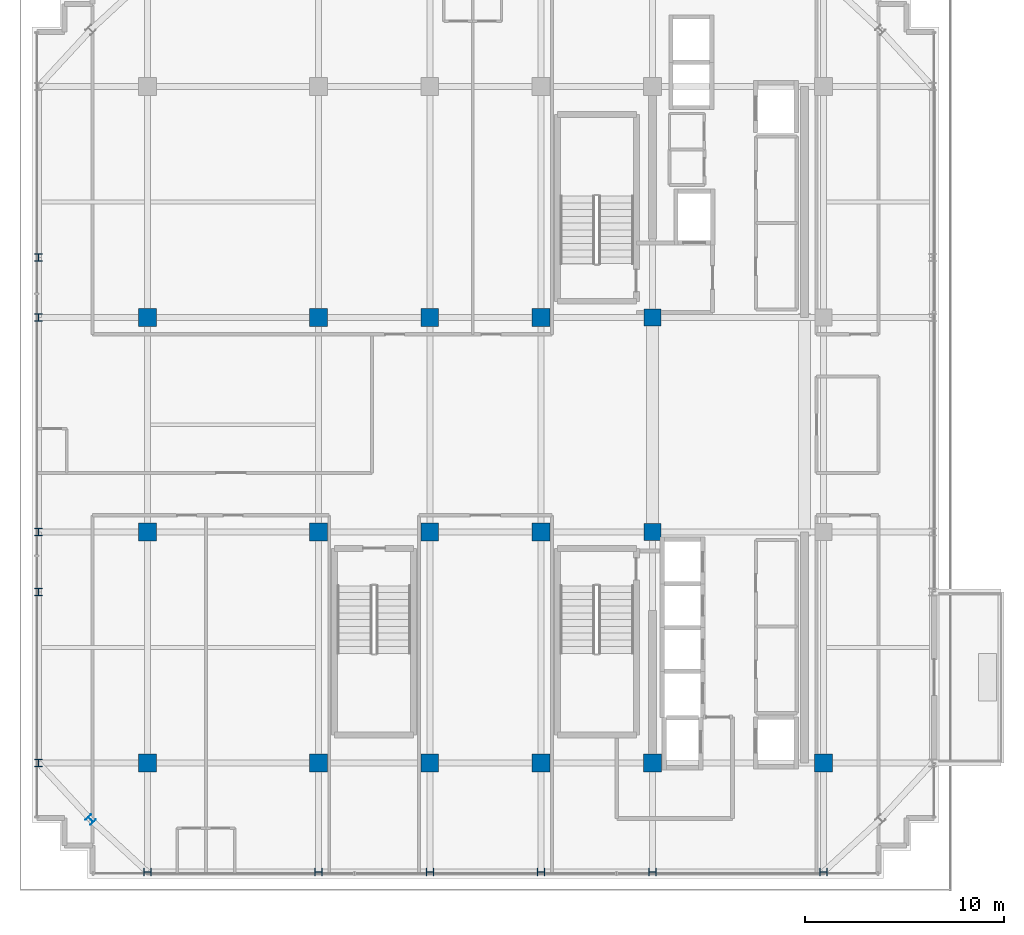
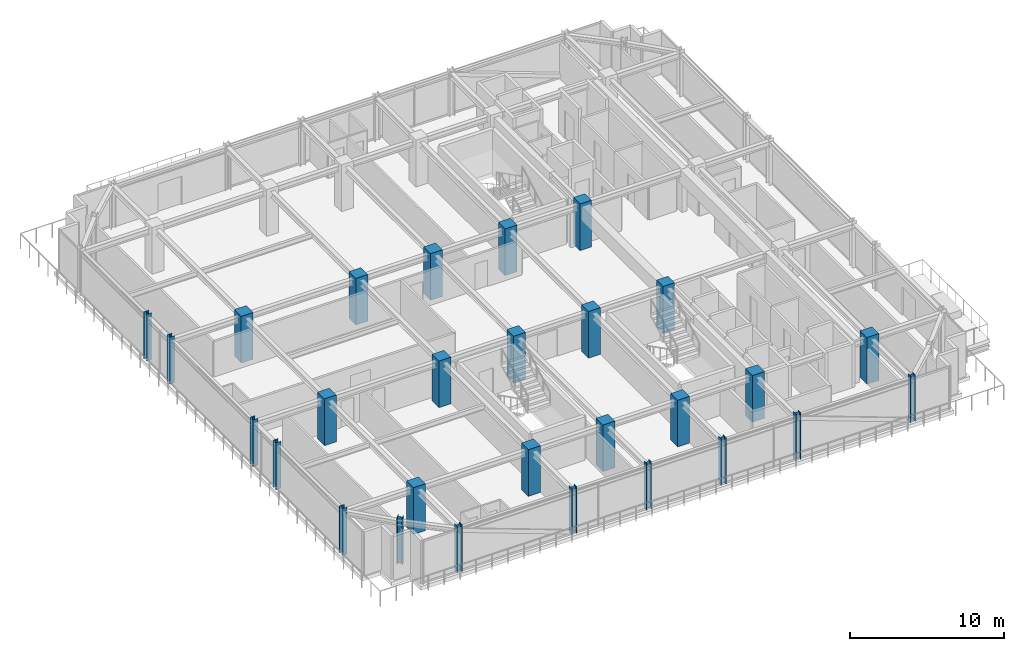
# One storey, part 1 of 32: 28 columns.
"""IFC4 building model written with IfcOpenShell, lengths in metres."""

from ifc_helpers import new_model, si_unit, direction, frame, origin, origin_2d, place, context, subcontext, project, spatial, rectangle, i_section, extrude, source, transform, mapped, material, material_profile, profile_set, type_object, element, save


model = new_model("IFC4")

# Units and contexts
model_context = context("Model", 3, precision=1e-05, world=origin(), true_north=direction((0.0, 1.0)))
body_context = subcontext(model_context, "Body", "Model", "MODEL_VIEW")
ifc_project = project(units=[si_unit("LENGTHUNIT", "METRE"), si_unit("AREAUNIT", "SQUARE_METRE"), si_unit("VOLUMEUNIT", "CUBIC_METRE"), si_unit("PLANEANGLEUNIT", "RADIAN"), si_unit("MASSUNIT", "GRAM", prefix="KILO")], contexts=[model_context])

# Site, building, storey
site_placement = place(None, origin())
site = spatial("IfcSite", under=ifc_project, at=site_placement, CompositionType="ELEMENT")
building_placement = place(site_placement, origin())
building = spatial("IfcBuilding", under=site, at=building_placement, Name="Nahalor Promenade Grand Hotel", CompositionType="ELEMENT")
storey_placement = place(building_placement, frame((0.0, 0.0, 266.300048828125)))
storey = spatial("IfcBuildingStorey", under=building, at=storey_placement, Name="L68", CompositionType="ELEMENT", Elevation=266.300048828125)

# Columns
ifc_material_1 = material(Name="Concrete B-50 (C40/50)", Category="concrete")
ifc_material_profile_1 = material_profile(ifc_material_1, rectangle(XDim=0.9, YDim=0.9, at=origin_2d()), Name="RC 900x900")
ifc_profile_set_1 = profile_set([ifc_material_profile_1], Name="Concrete B-50 (C40/50)")
column_type_1 = type_object("IfcColumnType", Name="Col-RC-900", PredefinedType="COLUMN", material=ifc_profile_set_1)
shared_shape_1 = source(origin(), body_context, "Body", "SweptSolid", [
    extrude(rectangle(XDim=0.9, YDim=0.9, at=origin_2d()), origin(), (0.0, 0.0, 1.0), 3.704833984375),
])
for number, where, z_axis, x_axis, name in (
    (1, (-17.0, -17.0, 0.0), (0.0, 0.0, 1.0), (1.0, 0.0, 0.0), "COL-L68-I00"),
    (2, (-17.0, -5.39990234375, 0.0), (0.0, 0.0, 1.0), (1.0, 0.0, 0.0), "COL-L68-I01"),
    (3, (-17.0, 5.39990234375, 0.0), (0.0, 0.0, 1.0), (1.0, 0.0, 0.0), "COL-L68-I02"),
    (4, (-8.39990234375, -17.0, 0.0), (0.0, 0.0, 1.0), (1.0, 0.0, 0.0), "COL-L68-I10"),
    (5, (-8.39990234375, -5.39990234375, 0.0), (0.0, 0.0, 1.0), (1.0, 0.0, 0.0), "COL-L68-I11"),
    (6, (-8.39990234375, 5.39990234375, 0.0), (0.0, 0.0, 1.0), (1.0, 0.0, 0.0), "COL-L68-I12"),
    (7, (-2.800048828125, -17.0, 0.0), (0.0, 0.0, 1.0), (1.0, 0.0, 0.0), "COL-L68-I20"),
    (8, (-2.800048828125, -5.39990234375, 0.0), (0.0, 0.0, 1.0), (1.0, 0.0, 0.0), "COL-L68-I21"),
    (9, (-2.800048828125, 5.39990234375, 0.0), (0.0, 0.0, 1.0), (1.0, 0.0, 0.0), "COL-L68-I22"),
    (10, (2.800048828125, -17.0, 0.0), (0.0, 0.0, 1.0), (1.0, 0.0, 0.0), "COL-L68-I30"),
    (11, (2.800048828125, -5.39990234375, 0.0), (0.0, 0.0, 1.0), (1.0, 0.0, 0.0), "COL-L68-I31"),
    (12, (2.800048828125, 5.39990234375, 0.0), (0.0, 0.0, 1.0), (1.0, 0.0, 0.0), "COL-L68-I32"),
    (13, (8.39990234375, -17.0, 0.0), (0.0, 0.0, 1.0), (1.0, 0.0, 0.0), "COL-L68-I40"),
    (14, (17.0, -17.0, 0.0), (0.0, 0.0, 1.0), (1.0, 0.0, 0.0), "COL-L68-I50"),
):
    element("IfcColumn", number, at=place(storey_placement, frame(where, z_axis=z_axis, x_axis=x_axis)), inside=storey, type_object=column_type_1, Name=name, PredefinedType="COLUMN", context=body_context, shape_type="MappedRepresentation", body=[
        mapped(shared_shape_1, transform((0.0, 0.0, 0.0), scale=1.0)),
    ])
ifc_material_2 = material(Name="Concrete B-70 (C60/75)", Category="concrete")
ifc_material_profile_2 = material_profile(ifc_material_2, rectangle(XDim=0.85, YDim=0.85, at=origin_2d()), Name="RC 850x850")
ifc_profile_set_2 = profile_set([ifc_material_profile_2], Name="Concrete B-70 (C60/75)")
column_type_2 = type_object("IfcColumnType", Name="Col-Pilaster-850", PredefinedType="PILASTER", material=ifc_profile_set_2)
shared_shape_2 = source(origin(), body_context, "Body", "SweptSolid", [
    extrude(rectangle(XDim=0.85, YDim=0.85, at=origin_2d()), origin(), (0.0, 0.0, 1.0), 3.704833984375),
])
for number, where, z_axis, x_axis, name in (
    (15, (8.39990234375, -5.39990234375, 0.0), (0.0, 0.0, 1.0), (1.0, 0.0, 0.0), "COL-L68-I41"),
    (16, (8.39990234375, 5.39990234375, 0.0), (0.0, 0.0, 1.0), (1.0, 0.0, 0.0), "COL-L68-I42"),
):
    element("IfcColumn", number, at=place(storey_placement, frame(where, z_axis=z_axis, x_axis=x_axis)), inside=storey, type_object=column_type_2, Name=name, PredefinedType="PILASTER", context=body_context, shape_type="MappedRepresentation", body=[
        mapped(shared_shape_2, transform((0.0, 0.0, 0.0), scale=1.0)),
    ])
ifc_material_3 = material(Name="Steel S355JR", Category="steel")
ifc_material_profile_3 = material_profile(ifc_material_3, i_section(OverallWidth=0.374, OverallDepth=0.374, WebThickness=0.0144, FlangeThickness=0.0229, at=origin_2d()), Name="HD 360x262")
ifc_profile_set_3 = profile_set([ifc_material_profile_3], Name="Steel S355JR")
column_type_3 = type_object("IfcColumnType", Name="Col-Steel-HD262", PredefinedType="COLUMN", material=ifc_profile_set_3)
shared_shape_3 = source(origin(), body_context, "Body", "SweptSolid", [
    extrude(i_section(OverallWidth=0.374, OverallDepth=0.374, WebThickness=0.0144, FlangeThickness=0.0229, at=origin_2d()), origin(), (0.0, 0.0, 1.0), 3.704833984375),
])
for number, where, z_axis, x_axis, name in (
    (17, (-22.47998046875, -17.0, 0.0), (0.0, 0.0, 1.0), (1.0, 0.0, 0.0), "COL-L68-PW-W0"),
    (18, (-22.47998046875, -8.39990234375, 0.0), (0.0, 0.0, 1.0), (1.0, 0.0, 0.0), "COL-L68-PW-W1"),
    (19, (-22.47998046875, -5.39990234375, 0.0), (0.0, 0.0, 1.0), (1.0, 0.0, 0.0), "COL-L68-PW-W2"),
    (20, (-22.47998046875, 5.39990234375, 0.0), (0.0, 0.0, 1.0), (1.0, 0.0, 0.0), "COL-L68-PW-W3"),
    (21, (-22.47998046875, 8.39990234375, 0.0), (0.0, 0.0, 1.0), (1.0, 0.0, 0.0), "COL-L68-PW-W4"),
    (22, (-17.0, -22.47998046875, 0.0), (0.0, 0.0, 1.0), (0.0, 1.0, 0.0), "COL-L68-PN-S0"),
    (23, (-8.39990234375, -22.47998046875, 0.0), (0.0, 0.0, 1.0), (0.0, 1.0, 0.0), "COL-L68-PN-S1"),
    (24, (-2.800048828125, -22.47998046875, 0.0), (0.0, 0.0, 1.0), (0.0, 1.0, 0.0), "COL-L68-PN-S2"),
    (25, (2.800048828125, -22.47998046875, 0.0), (0.0, 0.0, 1.0), (0.0, 1.0, 0.0), "COL-L68-PN-S3"),
    (26, (8.39990234375, -22.47998046875, 0.0), (0.0, 0.0, 1.0), (0.0, 1.0, 0.0), "COL-L68-PN-S4"),
    (27, (17.0, -22.47998046875, 0.0), (0.0, 0.0, 1.0), (0.0, 1.0, 0.0), "COL-L68-PN-S5"),
    (28, (-19.85009765625, -19.85009765625, 0.0), (0.0, 0.0, 1.0), (0.707106781187, 0.707106781187, 0.0), "COL-L68-CRN-SW"),
):
    element("IfcColumn", number, at=place(storey_placement, frame(where, z_axis=z_axis, x_axis=x_axis)), inside=storey, type_object=column_type_3, Name=name, PredefinedType="COLUMN", context=body_context, shape_type="MappedRepresentation", body=[
        mapped(shared_shape_3, transform((0.0, 0.0, 0.0), scale=1.0)),
    ])

save(model, "model.ifc")
